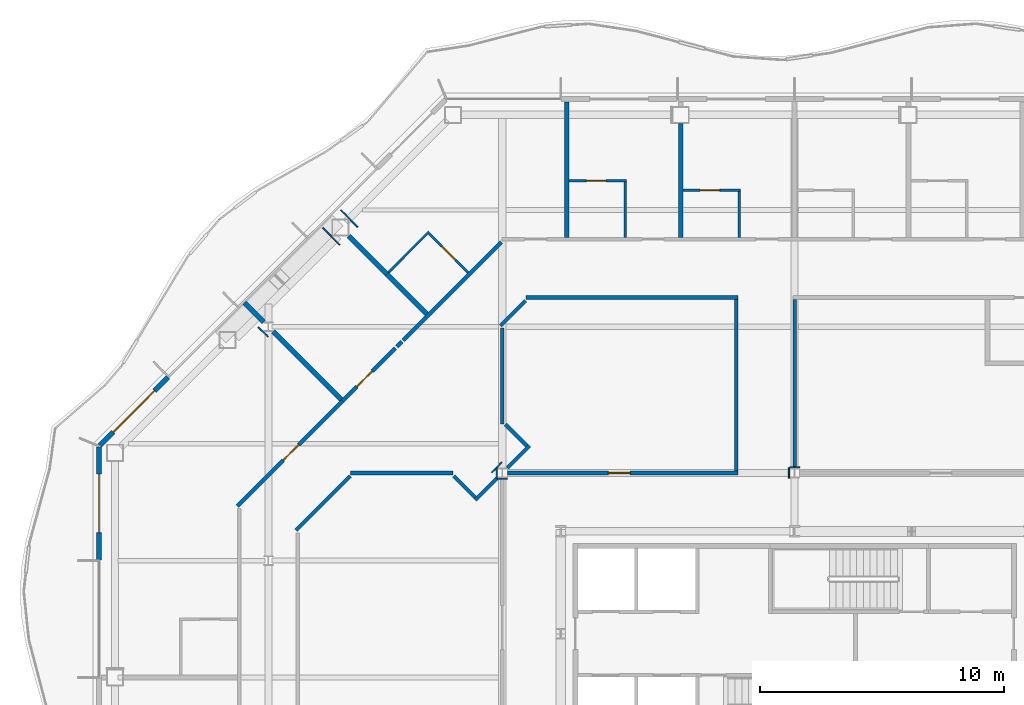
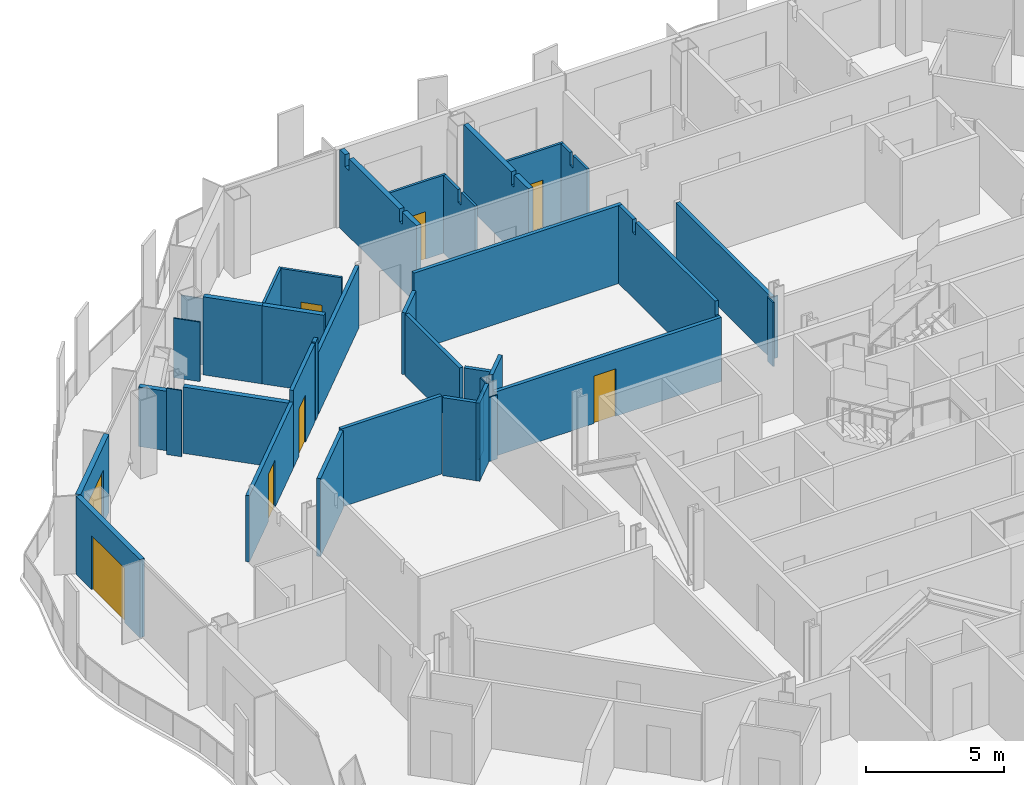
# One storey, part 12 of 21: 38 walls, 8 doors, 8 openings.
"""IFC4 building model written with IfcOpenShell, lengths in metres."""

from ifc_helpers import new_model, si_unit, direction, frame, frame_2d, origin, place, context, subcontext, project, spatial, polyline, rectangle, outline, extrude, material, layer, layer_set, type_object, element, fill, save


model = new_model("IFC4")

# Units and contexts
model_context = context("Model", 3, precision=1e-05, world=origin(), true_north=direction((0.0, 1.0)))
body_context = subcontext(model_context, "Body", "Model", "MODEL_VIEW")
ifc_project = project(units=[si_unit("LENGTHUNIT", "METRE"), si_unit("AREAUNIT", "SQUARE_METRE"), si_unit("VOLUMEUNIT", "CUBIC_METRE"), si_unit("PLANEANGLEUNIT", "RADIAN"), si_unit("MASSUNIT", "GRAM", prefix="KILO")], contexts=[model_context])

# Site, building, storey
site_placement = place(None, origin())
site = spatial("IfcSite", under=ifc_project, at=site_placement, CompositionType="ELEMENT")
building_placement = place(site_placement, origin())
building = spatial("IfcBuilding", under=site, at=building_placement, Name="Cairn Pilgrim Tower", CompositionType="ELEMENT")
storey_placement = place(building_placement, frame((0.0, 0.0, 139.800048828125)))
storey = spatial("IfcBuildingStorey", under=building, at=storey_placement, Name="L34", CompositionType="ELEMENT", Elevation=139.800048828125)

# Wall, opening, door
ifc_material_1 = material(Name="Bronze anodised aluminium insulated sandwich panel with mineral wool fill", Category="aluminium")
ifc_layer_1 = layer(ifc_material_1, 0.199951171875)
ifc_layer_set_1 = layer_set([ifc_layer_1], Name="BRONZE INFILL FRAME WALL 200")
wall_type_1 = type_object("IfcWallType", Name="BRONZE INFILL FRAME WALL 200", PredefinedType="NOTDEFINED", material=ifc_layer_set_1)
wall_1_placement = place(storey_placement, frame((-18.5205078125, 17.1259765625, 0.0), z_axis=(0.0, 0.0, 1.0), x_axis=(-0.707106781187, -0.707106781187, 0.0)))
wall_1 = element("IfcWall", 1, at=wall_1_placement, inside=storey, type_object=wall_type_1, Name="Bronze infill frame wall IW-NW5", PredefinedType="NOTDEFINED", context=body_context, shape_type="SweptSolid", body=[
    extrude(rectangle(XDim=3.961669921875, YDim=0.199951171875, at=frame_2d((1.98095703125, 0.0))), origin(), (0.0, 0.0, 1.0), 3.449951171875),
])
opening_1_placement = place(wall_1_placement, frame((0.785888671875, 0.0, 0.0)))
opening_1 = element("IfcOpeningElement", 2, at=opening_1_placement, cuts=wall_1, Name="Opening 3417B", PredefinedType="OPENING", context=body_context, shape_type="SweptSolid", body=[
    extrude(rectangle(XDim=2.39990234375, YDim=2.39990234375, at=frame_2d((1.199951171875, 1.199951171875))), frame((0.0, 0.10986328125, 0.0), z_axis=(0.0, -1.0, 0.0), x_axis=(1.0, 0.0, 0.0)), (0.0, 0.0, 1.0), 0.219970703125),
])
ifc_material_2 = material(Name="Bronze anodised aluminium frame with tinted low-E glass", Category="aluminium")
door_type_1 = type_object("IfcDoorType", Name="BALCONY SLIDING DOOR 2400x2400", OperationType="DOUBLE_DOOR_SLIDING", PredefinedType="DOOR", material=ifc_material_2)
door_1_placement = place(opening_1_placement, origin())
door_1 = element("IfcDoor", 3, at=door_1_placement, inside=storey, type_object=door_type_1, Name="Balcony sliding door 3417B", OperationType="SINGLE_SWING_LEFT", OverallHeight=2.39990234375, OverallWidth=2.39990234375, PredefinedType="DOOR", context=body_context, shape_type="SweptSolid", body=[
    extrude(rectangle(XDim=2.39990234375, YDim=2.39990234375, at=frame_2d((1.199951171875, 1.199951171875))), frame((0.0, 0.02490234375, 0.0), z_axis=(0.0, -1.0, 0.0), x_axis=(1.0, 0.0, 0.0)), (0.0, 0.0, 1.0), 0.050048828125),
])
fill(opening_1, door_1)

wall_2_placement = place(storey_placement, frame((-21.35009765625, 14.25634765625, 0.0), z_axis=(0.0, 0.0, 1.0), x_axis=(0.0, -1.0, 0.0)))
wall_2 = element("IfcWall", 4, at=wall_2_placement, inside=storey, type_object=wall_type_1, Name="Bronze infill frame wall IW-W1", PredefinedType="NOTDEFINED", context=body_context, shape_type="SweptSolid", body=[
    extrude(rectangle(XDim=4.62646484375, YDim=0.199951171875, at=frame_2d((2.313232421875, 0.0))), origin(), (0.0, 0.0, 1.0), 3.449951171875),
])
opening_2_placement = place(wall_2_placement, frame((1.1083984375, 0.0, 0.0)))
opening_2 = element("IfcOpeningElement", 5, at=opening_2_placement, cuts=wall_2, Name="Opening 3417B2", PredefinedType="OPENING", context=body_context, shape_type="SweptSolid", body=[
    extrude(rectangle(XDim=2.39990234375, YDim=2.39990234375, at=frame_2d((1.199951171875, 1.199951171875))), frame((0.0, 0.10986328125, 0.0), z_axis=(0.0, -1.0, 0.0), x_axis=(1.0, 0.0, 0.0)), (0.0, 0.0, 1.0), 0.219970703125),
])
door_2_placement = place(opening_2_placement, origin())
door_2 = element("IfcDoor", 6, at=door_2_placement, inside=storey, type_object=door_type_1, Name="Balcony sliding door 3417B2", OperationType="SINGLE_SWING_LEFT", OverallHeight=2.39990234375, OverallWidth=2.39990234375, PredefinedType="DOOR", context=body_context, shape_type="SweptSolid", body=[
    extrude(rectangle(XDim=2.39990234375, YDim=2.39990234375, at=frame_2d((1.199951171875, 1.199951171875))), frame((0.0, 0.02490234375, 0.0), z_axis=(0.0, -1.0, 0.0), x_axis=(1.0, 0.0, 0.0)), (0.0, 0.0, 1.0), 0.050048828125),
])
fill(opening_2, door_2)

# Wall
ifc_material_3 = material(Name="Gypsum partition")
ifc_layer_2 = layer(ifc_material_3, 0.10009765625)
ifc_layer_set_2 = layer_set([ifc_layer_2], Name="PARTITION 100 DRYWALL")
wall_type_2 = type_object("IfcWallType", Name="PARTITION 100 DRYWALL", PredefinedType="PARTITIONING", material=ifc_layer_set_2)
wall_3_placement = place(storey_placement, frame((-9.47119140625, 21.437744140625, 0.0), z_axis=(0.0, 0.0, 1.0), x_axis=(0.707054828152, 0.707158730404, 0.0)))
element("IfcWall", 7, at=wall_3_placement, inside=storey, type_object=wall_type_2, Name="PARTITION W112", PredefinedType="PARTITIONING", context=body_context, shape_type="SweptSolid", body=[
    extrude(rectangle(XDim=2.349609375, YDim=0.10009765625, at=frame_2d((1.1748046875, 0.0))), origin(), (0.0, 0.0, 1.0), 3.449951171875),
])

# Wall, opening, door
wall_4_placement = place(storey_placement, frame((-6.200927734375, 21.419921875, 0.0), z_axis=(0.0, 0.0, 1.0), x_axis=(-0.707106781187, 0.707106781187, 0.0)))
wall_4 = element("IfcWall", 8, at=wall_4_placement, inside=storey, type_object=wall_type_2, Name="PARTITION W113", PredefinedType="PARTITIONING", context=body_context, shape_type="SweptSolid", body=[
    extrude(rectangle(XDim=2.27490234375, YDim=0.10009765625, at=frame_2d((1.137451171875, 0.0))), origin(), (0.0, 0.0, 1.0), 3.449951171875),
])
opening_3_placement = place(wall_4_placement, frame((0.72509765625, 0.0, 0.0)))
opening_3 = element("IfcOpeningElement", 9, at=opening_3_placement, cuts=wall_4, Name="Opening 3415A", PredefinedType="OPENING", context=body_context, shape_type="SweptSolid", body=[
    extrude(rectangle(XDim=0.800048828125, YDim=2.10009765625, at=frame_2d((0.39990234375, 1.050048828125))), frame((0.0, 0.06005859375, 0.0), z_axis=(0.0, -1.0, 0.0), x_axis=(1.0, 0.0, 0.0)), (0.0, 0.0, 1.0), 0.1201171875),
])
ifc_material_4 = material(Name="Timber door leaf", Category="wood")
door_type_2 = type_object("IfcDoorType", Name="WC DOOR 800x2100", OperationType="NOTDEFINED", PredefinedType="DOOR", material=ifc_material_4)
door_3_placement = place(opening_3_placement, frame((0.800048828125, 0.0, 0.0), z_axis=(0.0, 0.0, 1.0), x_axis=(-1.0, 0.0, 0.0)))
door_3 = element("IfcDoor", 10, at=door_3_placement, inside=storey, type_object=door_type_2, Name="DOOR 3415A", OperationType="SINGLE_SWING_RIGHT", OverallHeight=2.10009765625, OverallWidth=0.800048828125, PredefinedType="DOOR", context=body_context, shape_type="SweptSolid", body=[
    extrude(rectangle(XDim=0.800048828125, YDim=2.10009765625, at=frame_2d((0.39990234375, 1.050048828125))), frame((0.0, 0.02490234375, 0.0), z_axis=(0.0, -1.0, 0.0), x_axis=(1.0, 0.0, 0.0)), (0.0, 0.0, 1.0), 0.050048828125),
])
fill(opening_3, door_3)

# Walls
wall_5_placement = place(storey_placement, frame((0.248046875, 22.875, 0.0), z_axis=(0.0, 0.0, 1.0), x_axis=(0.0, 1.0, 0.0)))
element("IfcWall", 11, at=wall_5_placement, inside=storey, type_object=wall_type_2, Name="PARTITION W117", PredefinedType="PARTITIONING", context=body_context, shape_type="SweptSolid", body=[
    extrude(outline(polyline([(0.0, 0.0), (2.27490234375, 0.0), (2.27490234375, 3.449951171875), (1.22998046875, 3.449951171875), (1.22802734375, 2.8798828125), (1.02001953125, 2.8798828125), (1.01806640625, 3.449951171875), (0.0, 3.449951171875), (0.0, 0.0)])), frame((0.0, 0.050048828125, 0.0), z_axis=(0.0, -1.0, 0.0), x_axis=(1.0, 0.0, 0.0)), (0.0, 0.0, 1.0), 0.10009765625),
])
wall_6_placement = place(storey_placement, frame((4.924072265625, 22.875, 0.0), z_axis=(0.0, 0.0, 1.0), x_axis=(0.0, 1.0, 0.0)))
element("IfcWall", 12, at=wall_6_placement, inside=storey, type_object=wall_type_2, Name="PARTITION W119", PredefinedType="PARTITIONING", context=body_context, shape_type="SweptSolid", body=[
    extrude(outline(polyline([(0.0, 0.0), (1.875, 0.0), (1.875, 3.449951171875), (1.22998046875, 3.449951171875), (1.22802734375, 2.8798828125), (1.02001953125, 2.8798828125), (1.01806640625, 3.449951171875), (0.0, 3.449951171875), (0.0, 0.0)])), frame((0.0, 0.050048828125, 0.0), z_axis=(0.0, -1.0, 0.0), x_axis=(1.0, 0.0, 0.0)), (0.0, 0.0, 1.0), 0.10009765625),
])

# Wall, opening, door
wall_7_placement = place(storey_placement, frame((2.6240234375, 24.800048828125, 0.0), z_axis=(0.0, 0.0, 1.0), x_axis=(1.0, 0.0, 0.0)))
wall_7 = element("IfcWall", 13, at=wall_7_placement, inside=storey, type_object=wall_type_2, Name="PARTITION W126", PredefinedType="PARTITIONING", context=body_context, shape_type="SweptSolid", body=[
    extrude(rectangle(XDim=2.35009765625, YDim=0.10009765625, at=frame_2d((1.175048828125, 0.0))), origin(), (0.0, 0.0, 1.0), 3.449951171875),
])
opening_4_placement = place(wall_7_placement, frame((0.699951171875, 0.0, 0.0)))
opening_4 = element("IfcOpeningElement", 14, at=opening_4_placement, cuts=wall_7, Name="Opening 3413A", PredefinedType="OPENING", context=body_context, shape_type="SweptSolid", body=[
    extrude(rectangle(XDim=0.800048828125, YDim=2.10009765625, at=frame_2d((0.39990234375, 1.050048828125))), frame((0.0, 0.06005859375, 0.0), z_axis=(0.0, -1.0, 0.0), x_axis=(1.0, 0.0, 0.0)), (0.0, 0.0, 1.0), 0.1201171875),
])
door_4_placement = place(opening_4_placement, origin())
door_4 = element("IfcDoor", 15, at=door_4_placement, inside=storey, type_object=door_type_2, Name="DOOR 3413A", OperationType="SINGLE_SWING_RIGHT", OverallHeight=2.10009765625, OverallWidth=0.800048828125, PredefinedType="DOOR", context=body_context, shape_type="SweptSolid", body=[
    extrude(rectangle(XDim=0.800048828125, YDim=2.10009765625, at=frame_2d((0.39990234375, 1.050048828125))), frame((0.0, 0.02490234375, 0.0), z_axis=(0.0, -1.0, 0.0), x_axis=(1.0, 0.0, 0.0)), (0.0, 0.0, 1.0), 0.050048828125),
])
fill(opening_4, door_4)

wall_8_placement = place(storey_placement, frame((-2.052001953125, 25.199951171875, 0.0), z_axis=(0.0, 0.0, 1.0), x_axis=(1.0, 0.0, 0.0)))
wall_8 = element("IfcWall", 16, at=wall_8_placement, inside=storey, type_object=wall_type_2, Name="PARTITION W128", PredefinedType="PARTITIONING", context=body_context, shape_type="SweptSolid", body=[
    extrude(rectangle(XDim=2.35009765625, YDim=0.10009765625, at=frame_2d((1.175048828125, 0.0))), origin(), (0.0, 0.0, 1.0), 3.449951171875),
])
opening_5_placement = place(wall_8_placement, frame((0.699951171875, 0.0, 0.0)))
opening_5 = element("IfcOpeningElement", 17, at=opening_5_placement, cuts=wall_8, Name="Opening 3414A", PredefinedType="OPENING", context=body_context, shape_type="SweptSolid", body=[
    extrude(rectangle(XDim=0.800048828125, YDim=2.10009765625, at=frame_2d((0.39990234375, 1.050048828125))), frame((0.0, 0.06005859375, 0.0), z_axis=(0.0, -1.0, 0.0), x_axis=(1.0, 0.0, 0.0)), (0.0, 0.0, 1.0), 0.1201171875),
])
door_5_placement = place(opening_5_placement, origin())
door_5 = element("IfcDoor", 18, at=door_5_placement, inside=storey, type_object=door_type_2, Name="DOOR 3414A", OperationType="SINGLE_SWING_RIGHT", OverallHeight=2.10009765625, OverallWidth=0.800048828125, PredefinedType="DOOR", context=body_context, shape_type="SweptSolid", body=[
    extrude(rectangle(XDim=0.800048828125, YDim=2.10009765625, at=frame_2d((0.39990234375, 1.050048828125))), frame((0.0, 0.02490234375, 0.0), z_axis=(0.0, -1.0, 0.0), x_axis=(1.0, 0.0, 0.0)), (0.0, 0.0, 1.0), 0.050048828125),
])
fill(opening_5, door_5)

# Wall
ifc_layer_3 = layer(ifc_material_3, 0.14990234375)
ifc_layer_set_3 = layer_set([ifc_layer_3], Name="PARTITION 150 DRYWALL EI 60")
wall_type_3 = type_object("IfcWallType", Name="PARTITION 150 DRYWALL EI 60", PredefinedType="PARTITIONING", material=ifc_layer_set_3)
wall_9_placement = place(storey_placement, frame((-13.27490234375, 10.845947265625, 0.0), z_axis=(0.0, 0.0, 1.0), x_axis=(0.707068002674, 0.707145557572, 0.0)))
element("IfcWall", 19, at=wall_9_placement, inside=storey, type_object=wall_type_3, Name="PARTITION W069", PredefinedType="PARTITIONING", context=body_context, shape_type="SweptSolid", body=[
    extrude(rectangle(XDim=3.14794921875, YDim=0.14990234375, at=frame_2d((1.573974609375, 0.0))), origin(), (0.0, 0.0, 1.0), 3.449951171875),
])

# Wall, opening, door
wall_10_placement = place(storey_placement, frame((-15.675048828125, 11.840087890625, 0.0), z_axis=(0.0, 0.0, 1.0), x_axis=(0.707206735496, 0.707006812746, 0.0)))
wall_10 = element("IfcWall", 20, at=wall_10_placement, inside=storey, type_object=wall_type_3, Name="PARTITION W071", PredefinedType="PARTITIONING", context=body_context, shape_type="SweptSolid", body=[
    extrude(rectangle(XDim=6.10595703125, YDim=0.14990234375, at=frame_2d((3.052978515625, 0.0))), origin(), (0.0, 0.0, 1.0), 2.929931640625),
])
opening_6_placement = place(wall_10_placement, frame((2.656005859375, 0.0, 0.0)))
opening_6 = element("IfcOpeningElement", 21, at=opening_6_placement, cuts=wall_10, Name="Opening 3417", PredefinedType="OPENING", context=body_context, shape_type="SweptSolid", body=[
    extrude(rectangle(XDim=0.89990234375, YDim=2.10009765625, at=frame_2d((0.449951171875, 1.050048828125))), frame((0.0, 0.0849609375, 0.0), z_axis=(0.0, -1.0, 0.0), x_axis=(1.0, 0.0, 0.0)), (0.0, 0.0, 1.0), 0.169921875),
])
door_type_3 = type_object("IfcDoorType", Name="ROOM DOOR 900x2100 FD30S", OperationType="NOTDEFINED", PredefinedType="DOOR", material=ifc_material_4)
door_6_placement = place(opening_6_placement, origin())
door_6 = element("IfcDoor", 22, at=door_6_placement, inside=storey, type_object=door_type_3, Name="DOOR 3417", OperationType="SINGLE_SWING_RIGHT", OverallHeight=2.10009765625, OverallWidth=0.89990234375, PredefinedType="DOOR", context=body_context, shape_type="SweptSolid", body=[
    extrude(rectangle(XDim=0.89990234375, YDim=2.10009765625, at=frame_2d((0.449951171875, 1.050048828125))), frame((0.0, 0.02490234375, 0.0), z_axis=(0.0, -1.0, 0.0), x_axis=(1.0, 0.0, 0.0)), (0.0, 0.0, 1.0), 0.050048828125),
])
fill(opening_6, door_6)

# Walls
wall_11_placement = place(storey_placement, frame((-5.9140625, 12.0859375, 0.0), z_axis=(0.0, 0.0, 1.0), x_axis=(0.707106781187, 0.707106781187, 0.0)))
element("IfcWall", 23, at=wall_11_placement, inside=storey, type_object=wall_type_3, Name="PARTITION W073", PredefinedType="PARTITIONING", context=body_context, shape_type="SweptSolid", body=[
    extrude(rectangle(XDim=1.280517578125, YDim=0.14990234375, at=frame_2d((0.64013671875, 0.0))), origin(), (0.0, 0.0, 1.0), 3.449951171875),
])
wall_12_placement = place(storey_placement, frame((-5.9140625, 12.192138671875, 0.0), z_axis=(0.0, 0.0, 1.0), x_axis=(-0.706812296552, 0.70740114323, 0.0)))
element("IfcWall", 24, at=wall_12_placement, inside=storey, type_object=wall_type_3, Name="PARTITION W075", PredefinedType="PARTITIONING", context=body_context, shape_type="SweptSolid", body=[
    extrude(rectangle(XDim=1.243896484375, YDim=0.14990234375, at=frame_2d((0.6220703125, 0.0))), origin(), (0.0, 0.0, 1.0), 3.449951171875),
])
wall_13_placement = place(storey_placement, frame((-11.027099609375, 13.199951171875, 0.0), z_axis=(0.0, 0.0, 1.0), x_axis=(1.0, 0.0, 0.0)))
element("IfcWall", 25, at=wall_13_placement, inside=storey, type_object=wall_type_3, Name="PARTITION W077", PredefinedType="PARTITIONING", context=body_context, shape_type="SweptSolid", body=[
    extrude(rectangle(XDim=4.2119140625, YDim=0.14990234375, at=frame_2d((2.10595703125, 0.0))), origin(), (0.0, 0.0, 1.0), 3.449951171875),
])

# Wall, opening, door
wall_14_placement = place(storey_placement, frame((-4.595458984375, 13.199951171875, 0.0), z_axis=(0.0, 0.0, 1.0), x_axis=(1.0, 0.0, 0.0)))
wall_14 = element("IfcWall", 26, at=wall_14_placement, inside=storey, type_object=wall_type_3, Name="PARTITION W078", PredefinedType="PARTITIONING", context=body_context, shape_type="SweptSolid", body=[
    extrude(rectangle(XDim=9.470458984375, YDim=0.14990234375, at=frame_2d((4.7353515625, 0.0))), origin(), (0.0, 0.0, 1.0), 2.829833984375),
])
opening_7_placement = place(wall_14_placement, frame((4.1455078125, 0.0, 0.0)))
opening_7 = element("IfcOpeningElement", 27, at=opening_7_placement, cuts=wall_14, Name="Opening 3428", PredefinedType="OPENING", context=body_context, shape_type="SweptSolid", body=[
    extrude(rectangle(XDim=0.89990234375, YDim=2.10009765625, at=frame_2d((0.449951171875, 1.050048828125))), frame((0.0, 0.0849609375, 0.0), z_axis=(0.0, -1.0, 0.0), x_axis=(1.0, 0.0, 0.0)), (0.0, 0.0, 1.0), 0.169921875),
])
door_type_4 = type_object("IfcDoorType", Name="SERVICE DOOR 900x2100 FD30S", OperationType="NOTDEFINED", PredefinedType="DOOR", material=ifc_material_4)
door_7_placement = place(opening_7_placement, origin())
door_7 = element("IfcDoor", 28, at=door_7_placement, inside=storey, type_object=door_type_4, Name="DOOR 3428", OperationType="SINGLE_SWING_LEFT", OverallHeight=2.10009765625, OverallWidth=0.89990234375, PredefinedType="DOOR", context=body_context, shape_type="SweptSolid", body=[
    extrude(rectangle(XDim=0.89990234375, YDim=2.10009765625, at=frame_2d((0.449951171875, 1.050048828125))), frame((0.0, 0.02490234375, 0.0), z_axis=(0.0, -1.0, 0.0), x_axis=(1.0, 0.0, 0.0)), (0.0, 0.0, 1.0), 0.050048828125),
])
fill(opening_7, door_7)

# Walls
wall_15_placement = place(storey_placement, frame((4.800048828125, 13.27490234375, 0.0), z_axis=(0.0, 0.0, 1.0), x_axis=(0.0, 1.0, 0.0)))
element("IfcWall", 29, at=wall_15_placement, inside=storey, type_object=wall_type_3, Name="PARTITION W081", PredefinedType="PARTITIONING", context=body_context, shape_type="SweptSolid", body=[
    extrude(outline(polyline([(0.0, 0.0), (7.050048828125, 0.0), (7.050048828125, 3.449951171875), (6.030029296875, 3.449951171875), (6.028076171875, 2.8798828125), (5.820068359375, 2.8798828125), (5.818115234375, 3.449951171875), (0.074951171875, 3.449951171875), (0.072998046875, 2.829833984375), (0.0, 2.829833984375), (0.0, 0.0)])), frame((0.0, 0.074951171875, 0.0), z_axis=(0.0, -1.0, 0.0), x_axis=(1.0, 0.0, 0.0)), (0.0, 0.0, 1.0), 0.14990234375),
])
wall_16_placement = place(storey_placement, frame((-4.591552734375, 13.408447265625, 0.0), z_axis=(0.0, 0.0, 1.0), x_axis=(0.707106781187, 0.707106781187, 0.0)))
element("IfcWall", 30, at=wall_16_placement, inside=storey, type_object=wall_type_3, Name="PARTITION W083", PredefinedType="PARTITIONING", context=body_context, shape_type="SweptSolid", body=[
    extrude(rectangle(XDim=1.281005859375, YDim=0.14990234375, at=frame_2d((0.640625, 0.0))), origin(), (0.0, 0.0, 1.0), 3.449951171875),
])
wall_17_placement = place(storey_placement, frame((7.199951171875, 13.41259765625, 0.0), z_axis=(0.0, 0.0, 1.0), x_axis=(0.0, 1.0, 0.0)))
element("IfcWall", 31, at=wall_17_placement, inside=storey, type_object=wall_type_3, Name="PARTITION W084", PredefinedType="PARTITIONING", context=body_context, shape_type="SweptSolid", body=[
    extrude(rectangle(XDim=6.912353515625, YDim=0.14990234375, at=frame_2d((3.4560546875, 0.0))), origin(), (0.0, 0.0, 1.0), 2.72998046875),
])
wall_18_placement = place(storey_placement, frame((-3.7919921875, 14.31396484375, 0.0), z_axis=(0.0, 0.0, 1.0), x_axis=(-0.707499182195, 0.706714162298, 0.0)))
element("IfcWall", 32, at=wall_18_placement, inside=storey, type_object=wall_type_3, Name="PARTITION W088", PredefinedType="PARTITIONING", context=body_context, shape_type="SweptSolid", body=[
    extrude(rectangle(XDim=1.243896484375, YDim=0.14990234375, at=frame_2d((0.6220703125, 0.0))), origin(), (0.0, 0.0, 1.0), 2.72998046875),
])
wall_19_placement = place(storey_placement, frame((-4.800048828125, 15.215087890625, 0.0), z_axis=(0.0, 0.0, 1.0), x_axis=(0.0, 1.0, 0.0)))
element("IfcWall", 33, at=wall_19_placement, inside=storey, type_object=wall_type_3, Name="PARTITION W092", PredefinedType="PARTITIONING", context=body_context, shape_type="SweptSolid", body=[
    extrude(rectangle(XDim=3.9248046875, YDim=0.14990234375, at=frame_2d((1.96240234375, 0.0))), origin(), (0.0, 0.0, 1.0), 2.72998046875),
])

# Wall, opening, door
wall_20_placement = place(storey_placement, frame((-11.35693359375, 16.156982421875, 0.0), z_axis=(0.0, 0.0, 1.0), x_axis=(0.707106781187, 0.707106781187, 0.0)))
wall_20 = element("IfcWall", 34, at=wall_20_placement, inside=storey, type_object=wall_type_3, Name="PARTITION W094", PredefinedType="PARTITIONING", context=body_context, shape_type="SweptSolid", body=[
    extrude(rectangle(XDim=3.070556640625, YDim=0.14990234375, at=frame_2d((1.53515625, 0.0))), origin(), (0.0, 0.0, 1.0), 3.449951171875),
])
opening_8_placement = place(wall_20_placement, frame((0.822998046875, 0.0, 0.0)))
opening_8 = element("IfcOpeningElement", 35, at=opening_8_placement, cuts=wall_20, Name="Opening 3416", PredefinedType="OPENING", context=body_context, shape_type="SweptSolid", body=[
    extrude(rectangle(XDim=0.89990234375, YDim=2.10009765625, at=frame_2d((0.449951171875, 1.050048828125))), frame((0.0, 0.0849609375, 0.0), z_axis=(0.0, -1.0, 0.0), x_axis=(1.0, 0.0, 0.0)), (0.0, 0.0, 1.0), 0.169921875),
])
door_8_placement = place(opening_8_placement, origin())
door_8 = element("IfcDoor", 36, at=door_8_placement, inside=storey, type_object=door_type_4, Name="DOOR 3416", OperationType="SINGLE_SWING_RIGHT", OverallHeight=2.10009765625, OverallWidth=0.89990234375, PredefinedType="DOOR", context=body_context, shape_type="SweptSolid", body=[
    extrude(rectangle(XDim=0.89990234375, YDim=2.10009765625, at=frame_2d((0.449951171875, 1.050048828125))), frame((0.0, 0.02490234375, 0.0), z_axis=(0.0, -1.0, 0.0), x_axis=(1.0, 0.0, 0.0)), (0.0, 0.0, 1.0), 0.050048828125),
])
fill(opening_8, door_8)

# Walls
wall_21_placement = place(storey_placement, frame((-9.1328125, 18.381591796875, 0.0), z_axis=(0.0, 0.0, 1.0), x_axis=(0.707106781187, 0.707106781187, 0.0)))
element("IfcWall", 37, at=wall_21_placement, inside=storey, type_object=wall_type_3, Name="PARTITION W100", PredefinedType="PARTITIONING", context=body_context, shape_type="SweptSolid", body=[
    extrude(rectangle(XDim=0.2998046875, YDim=0.14990234375, at=frame_2d((0.14990234375, 0.0))), origin(), (0.0, 0.0, 1.0), 3.449951171875),
])
wall_22_placement = place(storey_placement, frame((-8.8681640625, 18.646728515625, 0.0), z_axis=(0.0, 0.0, 1.0), x_axis=(0.707085337138, 0.707128224585, 0.0)))
element("IfcWall", 38, at=wall_22_placement, inside=storey, type_object=wall_type_3, Name="PARTITION W101", PredefinedType="PARTITIONING", context=body_context, shape_type="SweptSolid", body=[
    extrude(rectangle(XDim=5.692626953125, YDim=0.14990234375, at=frame_2d((2.84619140625, 0.0))), origin(), (0.0, 0.0, 1.0), 2.72998046875),
])
wall_23_placement = place(storey_placement, frame((-4.875, 19.24609375, 0.0), z_axis=(0.0, 0.0, 1.0), x_axis=(0.707106781187, 0.707106781187, 0.0)))
element("IfcWall", 39, at=wall_23_placement, inside=storey, type_object=wall_type_3, Name="PARTITION W102", PredefinedType="PARTITIONING", context=body_context, shape_type="SweptSolid", body=[
    extrude(rectangle(XDim=1.450927734375, YDim=0.14990234375, at=frame_2d((0.7255859375, 0.0))), origin(), (0.0, 0.0, 1.0), 2.72998046875),
])
wall_24_placement = place(storey_placement, frame((-3.8271484375, 20.39990234375, 0.0), z_axis=(0.0, 0.0, 1.0), x_axis=(1.0, 0.0, 0.0)))
element("IfcWall", 40, at=wall_24_placement, inside=storey, type_object=wall_type_3, Name="PARTITION W108", PredefinedType="PARTITIONING", context=body_context, shape_type="SweptSolid", body=[
    extrude(rectangle(XDim=8.7021484375, YDim=0.14990234375, at=frame_2d((4.35107421875, 0.0))), origin(), (0.0, 0.0, 1.0), 3.449951171875),
])
ifc_layer_4 = layer(ifc_material_3, 0.050048828125)
ifc_layer_set_4 = layer_set([ifc_layer_4], Name="PARTITION 50 DRYWALL EI 60")
wall_type_4 = type_object("IfcWallType", Name="PARTITION 50 DRYWALL EI 60", PredefinedType="PARTITIONING", material=ifc_layer_set_4)
wall_25_placement = place(storey_placement, frame((-5.029541015625, 12.987548828125, 0.0), z_axis=(0.0, 0.0, 1.0), x_axis=(0.0, 1.0, 0.0)))
element("IfcWall", 41, at=wall_25_placement, inside=storey, type_object=wall_type_4, Name="COLUMN CASING WC19", PredefinedType="PARTITIONING", context=body_context, shape_type="SweptSolid", body=[
    extrude(rectangle(XDim=0.425048828125, YDim=0.050048828125, at=frame_2d((0.21240234375, 0.0))), origin(), (0.0, 0.0, 1.0), 3.449951171875),
])
wall_26_placement = place(storey_placement, frame((-5.234619140625, 13.2177734375, 0.0), z_axis=(0.0, 0.0, 1.0), x_axis=(0.707106781187, 0.707106781187, 0.0)))
element("IfcWall", 42, at=wall_26_placement, inside=storey, type_object=wall_type_4, Name="COLUMN CASING WC24", PredefinedType="PARTITIONING", context=body_context, shape_type="SweptSolid", body=[
    extrude(rectangle(XDim=0.589599609375, YDim=0.050048828125, at=frame_2d((0.294921875, 0.0))), origin(), (0.0, 0.0, 1.0), 2.72998046875),
])
wall_27_placement = place(storey_placement, frame((-5.00439453125, 12.96240234375, 0.0), z_axis=(0.0, 0.0, 1.0), x_axis=(1.0, 0.0, 0.0)))
element("IfcWall", 43, at=wall_27_placement, inside=storey, type_object=wall_type_4, Name="COLUMN CASING WC26", PredefinedType="PARTITIONING", context=body_context, shape_type="SweptSolid", body=[
    extrude(rectangle(XDim=0.408935546875, YDim=0.050048828125, at=frame_2d((0.20458984375, 0.0))), origin(), (0.0, 0.0, 1.0), 2.829833984375),
])
wall_28_placement = place(storey_placement, frame((6.99560546875, 13.4375, 0.0), z_axis=(0.0, 0.0, 1.0), x_axis=(1.0, 0.0, 0.0)))
element("IfcWall", 44, at=wall_28_placement, inside=storey, type_object=wall_type_4, Name="COLUMN CASING WC27", PredefinedType="PARTITIONING", context=body_context, shape_type="SweptSolid", body=[
    extrude(rectangle(XDim=0.408935546875, YDim=0.050048828125, at=frame_2d((0.20458984375, 0.0))), origin(), (0.0, 0.0, 1.0), 2.72998046875),
])
wall_29_placement = place(storey_placement, frame((6.970458984375, 12.987548828125, 0.0), z_axis=(0.0, 0.0, 1.0), x_axis=(0.0, 1.0, 0.0)))
element("IfcWall", 45, at=wall_29_placement, inside=storey, type_object=wall_type_4, Name="COLUMN CASING WC29", PredefinedType="PARTITIONING", context=body_context, shape_type="SweptSolid", body=[
    extrude(rectangle(XDim=0.425048828125, YDim=0.050048828125, at=frame_2d((0.21240234375, 0.0))), origin(), (0.0, 0.0, 1.0), 2.829833984375),
])
wall_30_placement = place(storey_placement, frame((-14.417724609375, 18.786376953125, 0.0), z_axis=(0.0, 0.0, 1.0), x_axis=(-0.707106781187, 0.707106781187, 0.0)))
element("IfcWall", 46, at=wall_30_placement, inside=storey, type_object=wall_type_4, Name="COLUMN CASING WC30", PredefinedType="PARTITIONING", context=body_context, shape_type="SweptSolid", body=[
    extrude(rectangle(XDim=0.56005859375, YDim=0.050048828125, at=frame_2d((0.280029296875, 0.0))), origin(), (0.0, 0.0, 1.0), 2.929931640625),
])
wall_31_placement = place(storey_placement, frame((-11.468994140625, 22.55810546875, 0.0), z_axis=(0.0, 0.0, 1.0), x_axis=(-0.707353374636, 0.706860101711, 0.0)))
element("IfcWall", 47, at=wall_31_placement, inside=storey, type_object=wall_type_4, Name="COLUMN CASING WC35", PredefinedType="PARTITIONING", context=body_context, shape_type="SweptSolid", body=[
    extrude(rectangle(XDim=0.989990234375, YDim=0.050048828125, at=frame_2d((0.4951171875, 0.0))), origin(), (0.0, 0.0, 1.0), 2.6298828125),
])
wall_32_placement = place(storey_placement, frame((-10.73388671875, 23.29345703125, 0.0), z_axis=(0.0, 0.0, 1.0), x_axis=(-0.707230067171, 0.706983473703, 0.0)))
element("IfcWall", 48, at=wall_32_placement, inside=storey, type_object=wall_type_4, Name="COLUMN CASING WC36", PredefinedType="PARTITIONING", context=body_context, shape_type="SweptSolid", body=[
    extrude(rectangle(XDim=0.989990234375, YDim=0.050048828125, at=frame_2d((0.4951171875, 0.0))), origin(), (0.0, 0.0, 1.0), 2.929931640625),
])
ifc_layer_5 = layer(ifc_material_3, 0.199951171875)
ifc_layer_set_5 = layer_set([ifc_layer_5], Name="SHAFT WALL 200 GYPSUM EI 60")
wall_type_5 = type_object("IfcWallType", Name="SHAFT WALL 200 GYPSUM EI 60", PredefinedType="PARTITIONING", material=ifc_layer_set_5)
wall_33_placement = place(storey_placement, frame((-11.409912109375, 16.2099609375, 0.0), z_axis=(0.0, 0.0, 1.0), x_axis=(-0.707106781187, 0.707106781187, 0.0)))
element("IfcWall", 49, at=wall_33_placement, inside=storey, type_object=wall_type_5, Name="PARTITION W095", PredefinedType="PARTITIONING", context=body_context, shape_type="SweptSolid", body=[
    extrude(rectangle(XDim=3.948486328125, YDim=0.199951171875, at=frame_2d((1.97412109375, 0.0))), origin(), (0.0, 0.0, 1.0), 2.929931640625),
])
wall_34_placement = place(storey_placement, frame((-14.597900390625, 19.39794921875, 0.0), z_axis=(0.0, 0.0, 1.0), x_axis=(-0.707106781187, 0.707106781187, 0.0)))
element("IfcWall", 50, at=wall_34_placement, inside=storey, type_object=wall_type_5, Name="PARTITION W103", PredefinedType="PARTITIONING", context=body_context, shape_type="SweptSolid", body=[
    extrude(rectangle(XDim=1.107177734375, YDim=0.199951171875, at=frame_2d((0.5537109375, 0.0))), origin(), (0.0, 0.0, 1.0), 2.6298828125),
])
wall_35_placement = place(storey_placement, frame((-7.89794921875, 19.722900390625, 0.0), z_axis=(0.0, 0.0, 1.0), x_axis=(-0.707106781187, 0.707106781187, 0.0)))
element("IfcWall", 51, at=wall_35_placement, inside=storey, type_object=wall_type_5, Name="PARTITION W105", PredefinedType="PARTITIONING", context=body_context, shape_type="SweptSolid", body=[
    extrude(rectangle(XDim=2.324951171875, YDim=0.199951171875, at=frame_2d((1.16259765625, 0.0))), origin(), (0.0, 0.0, 1.0), 3.449951171875),
])
wall_36_placement = place(storey_placement, frame((-9.5419921875, 21.366943359375, 0.0), z_axis=(0.0, 0.0, 1.0), x_axis=(-0.707217500167, 0.706996044867, 0.0)))
element("IfcWall", 52, at=wall_36_placement, inside=storey, type_object=wall_type_5, Name="PARTITION W111", PredefinedType="PARTITIONING", context=body_context, shape_type="SweptSolid", body=[
    extrude(rectangle(XDim=2.204833984375, YDim=0.199951171875, at=frame_2d((1.1025390625, 0.0))), origin(), (0.0, 0.0, 1.0), 3.449951171875),
])
wall_37_placement = place(storey_placement, frame((-2.152099609375, 22.875, 0.0), z_axis=(0.0, 0.0, 1.0), x_axis=(0.0, 1.0, 0.0)))
element("IfcWall", 53, at=wall_37_placement, inside=storey, type_object=wall_type_5, Name="PARTITION W116", PredefinedType="PARTITIONING", context=body_context, shape_type="SweptSolid", body=[
    extrude(outline(polyline([(0.0, 0.0), (5.544921875, 0.0), (5.544921875, 3.449951171875), (5.175048828125, 3.449951171875), (5.173095703125, 2.929931640625), (4.875, 2.929931640625), (4.873046875, 3.449951171875), (1.22998046875, 3.449951171875), (1.22802734375, 2.8798828125), (1.02001953125, 2.8798828125), (1.01806640625, 3.449951171875), (0.0, 3.449951171875), (0.0, 0.0)])), frame((0.0, 0.10009765625, 0.0), z_axis=(0.0, -1.0, 0.0), x_axis=(1.0, 0.0, 0.0)), (0.0, 0.0, 1.0), 0.199951171875),
])
wall_38_placement = place(storey_placement, frame((2.52392578125, 22.875, 0.0), z_axis=(0.0, 0.0, 1.0), x_axis=(0.0, 1.0, 0.0)))
element("IfcWall", 54, at=wall_38_placement, inside=storey, type_object=wall_type_5, Name="PARTITION W118", PredefinedType="PARTITIONING", context=body_context, shape_type="SweptSolid", body=[
    extrude(outline(polyline([(0.0, 0.0), (4.675048828125, 0.0), (4.675048828125, 3.449951171875), (1.22998046875, 3.449951171875), (1.22802734375, 2.8798828125), (1.02001953125, 2.8798828125), (1.01806640625, 3.449951171875), (0.0, 3.449951171875), (0.0, 0.0)])), frame((0.0, 0.10009765625, 0.0), z_axis=(0.0, -1.0, 0.0), x_axis=(1.0, 0.0, 0.0)), (0.0, 0.0, 1.0), 0.199951171875),
])

save(model, "model.ifc")
